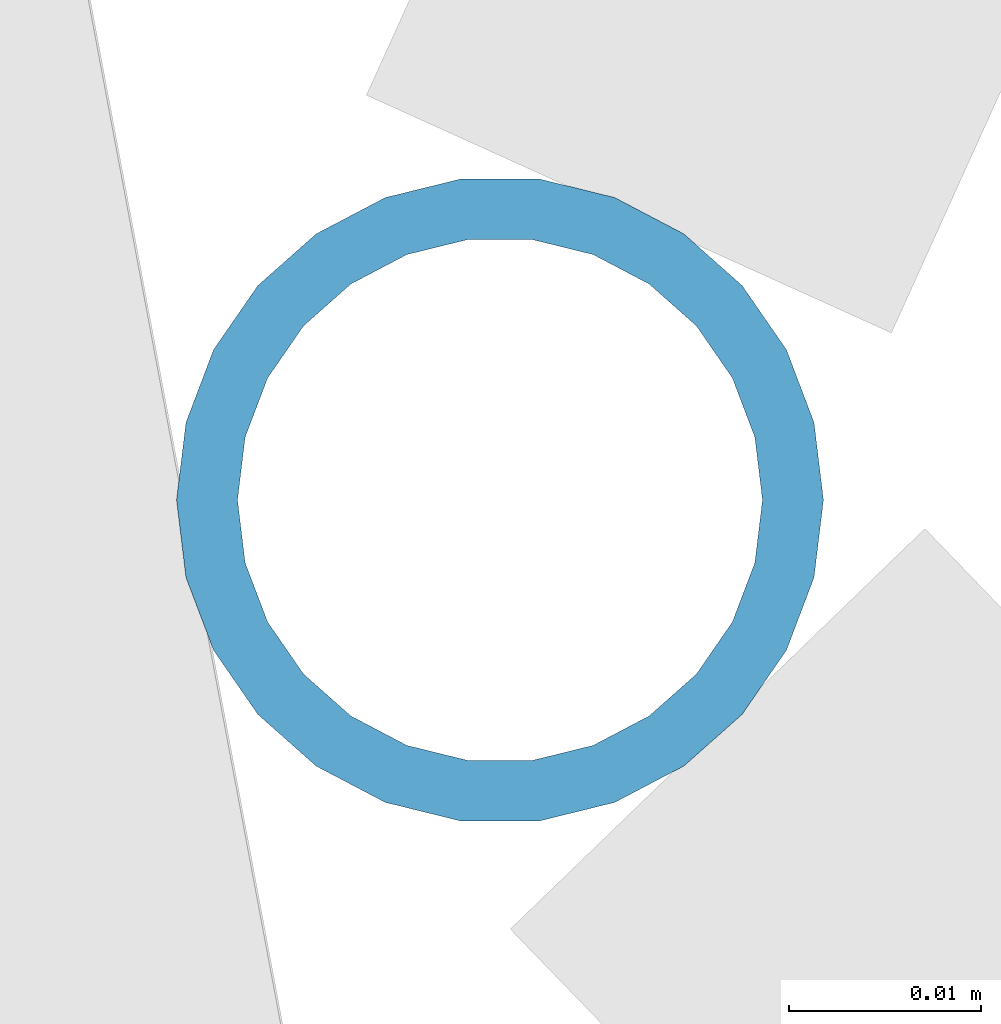
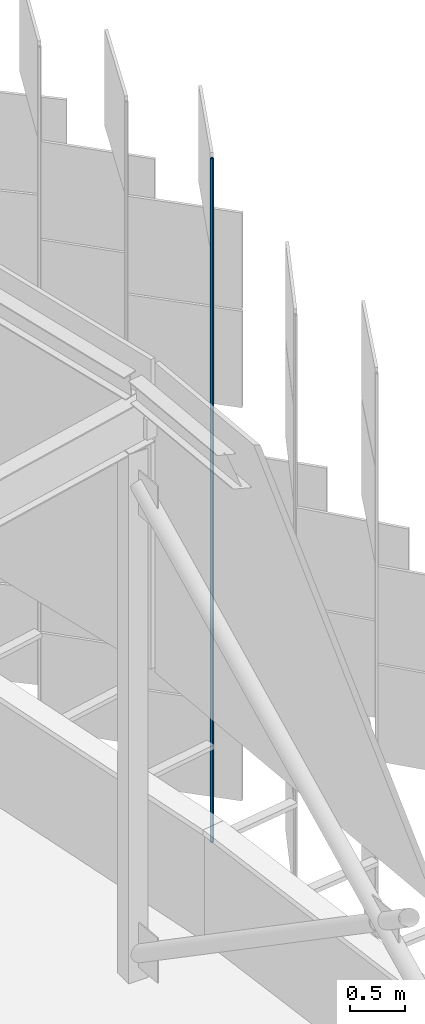
# One storey, part 294 of 483: 1 discrete accessory.
"""IFC4 building model written with IfcOpenShell, lengths in metres."""

from ifc_helpers import new_model, si_unit, direction, frame, origin, origin_2d, place, context, subcontext, project, spatial, hollow_circle, extrude, material, material_profile, profile_set, type_object, element, save


model = new_model("IFC4")

# Units and contexts
model_context = context("Model", 3, precision=1e-05, world=origin(), true_north=direction((0.0, 1.0)))
body_context = subcontext(model_context, "Body", "Model", "MODEL_VIEW")
ifc_project = project(units=[si_unit("LENGTHUNIT", "METRE"), si_unit("AREAUNIT", "SQUARE_METRE"), si_unit("VOLUMEUNIT", "CUBIC_METRE"), si_unit("PLANEANGLEUNIT", "RADIAN"), si_unit("MASSUNIT", "GRAM", prefix="KILO")], contexts=[model_context])

# Site, building, storey
site_placement = place(None, origin())
site = spatial("IfcSite", under=ifc_project, at=site_placement, CompositionType="ELEMENT")
building_placement = place(site_placement, origin())
building = spatial("IfcBuilding", under=site, at=building_placement, Name="Parallax Yard Mobility Hub", CompositionType="ELEMENT")
storey_placement = place(building_placement, frame((0.0, 0.0, 13.199951171875)))
storey = spatial("IfcBuildingStorey", under=building, at=storey_placement, Name="L04", CompositionType="ELEMENT", Elevation=13.199951171875)

# Discrete accessory
ifc_material = material(Name="Steel ASTM A500 Gr C, hot-dip galvanised", Category="steel")
ifc_material_profile = material_profile(ifc_material, hollow_circle(Radius=0.016845703125, WallThickness=0.003173828125, at=origin_2d()), Name="CHS 33.7x3.2")
ifc_profile_set = profile_set([ifc_material_profile], Name="Steel ASTM A500 Gr C, hot-dip galvanised")
discrete_accessory_type = type_object("IfcDiscreteAccessoryType", Name="Hinge post CHS 33.7x3.2", PredefinedType="BRACKET", material=ifc_profile_set)
discrete_accessory_placement = place(storey_placement, frame((224.9619140625, 99.523681640625, 0.0), z_axis=(0.0, 0.0, 1.0), x_axis=(1.0, 0.0, 0.0)))
element("IfcDiscreteAccessory", 1, at=discrete_accessory_placement, inside=storey, type_object=discrete_accessory_type, Name="Hinge post bay 42.2 level L04", PredefinedType="BRACKET", context=body_context, shape_type="SweptSolid", body=[
    extrude(hollow_circle(Radius=0.016845703125, WallThickness=0.003173828125, at=origin_2d()), origin(), (0.0, 0.0, 1.0), 7.650146484375),
])

save(model, "model.ifc")
